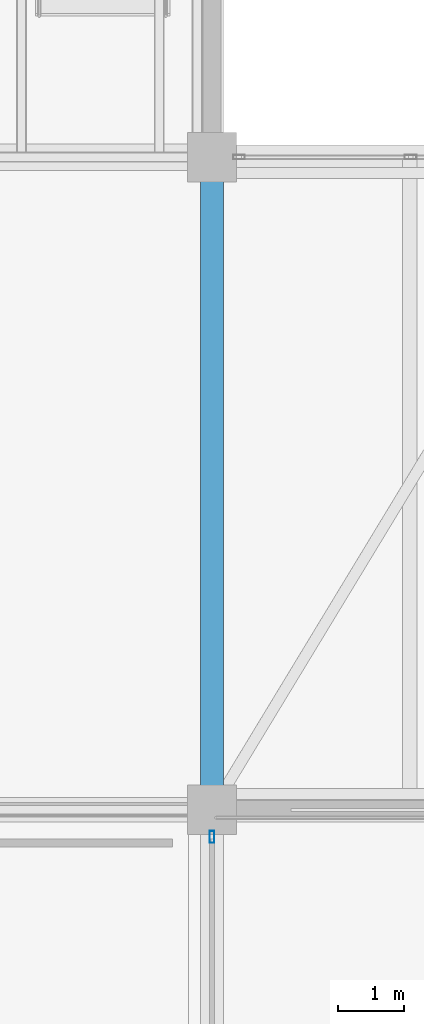
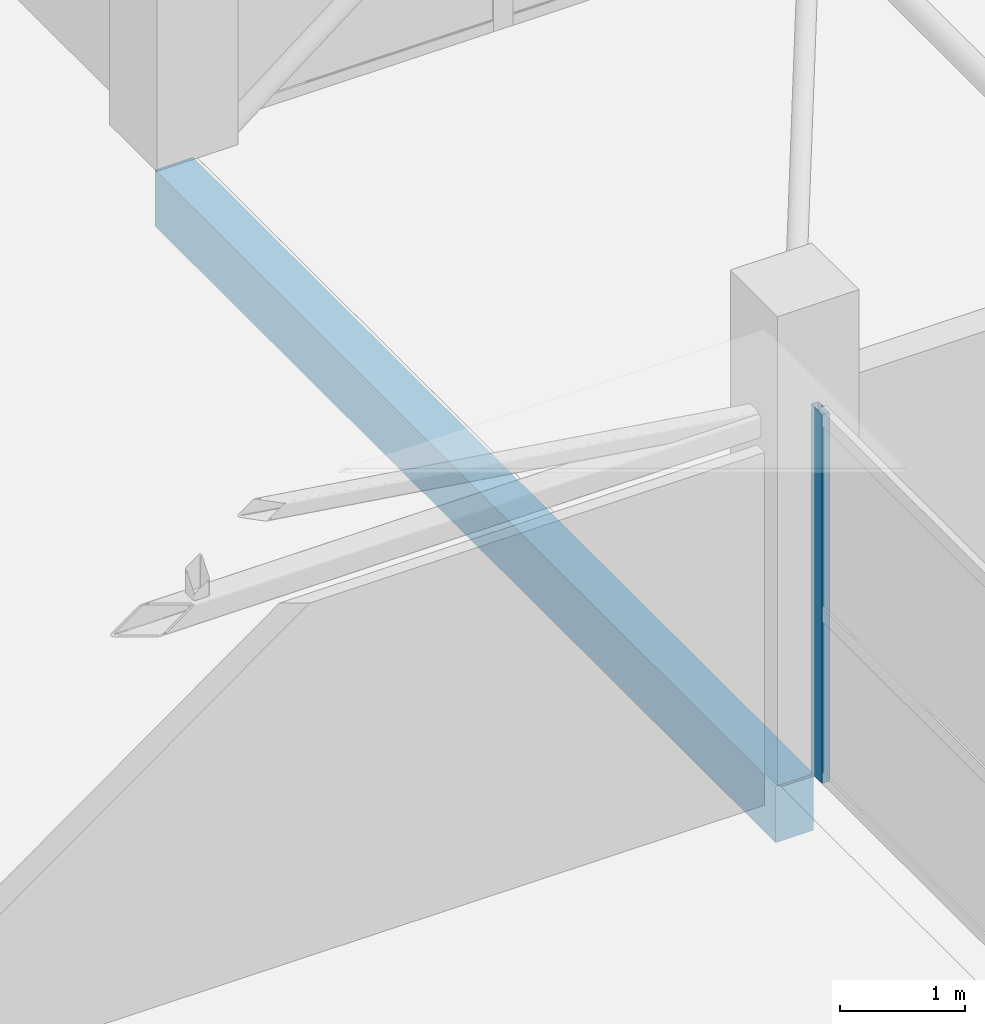
# One storey, part 29 of 69: 1 beam, 1 member, 1 element without a shape of its own.
"""IFC4 building model written with IfcOpenShell, lengths in metres."""

from ifc_helpers import new_model, si_unit, direction, frame, origin, origin_2d, place, context, subcontext, project, spatial, rectangle, hollow_rectangle, extrude, material, layer, layer_set, material_profile, profile_set, type_object, element, aggregate, save


model = new_model("IFC4")

# Units and contexts
model_context = context("Model", 3, precision=1e-05, world=origin(), true_north=direction((0.0, 1.0)))
body_context = subcontext(model_context, "Body", "Model", "MODEL_VIEW")
ifc_project = project(units=[si_unit("LENGTHUNIT", "METRE"), si_unit("AREAUNIT", "SQUARE_METRE"), si_unit("VOLUMEUNIT", "CUBIC_METRE"), si_unit("PLANEANGLEUNIT", "RADIAN"), si_unit("MASSUNIT", "GRAM", prefix="KILO")], contexts=[model_context])

# Site, building, storey
site_placement = place(None, origin())
site = spatial("IfcSite", under=ifc_project, at=site_placement, CompositionType="ELEMENT")
building_placement = place(site_placement, origin())
building = spatial("IfcBuilding", under=site, at=building_placement, Name="Sillaruma Civic Art Gallery", CompositionType="ELEMENT")
storey_placement = place(building_placement, frame((0.0, 0.0, 42.330078125)))
storey = spatial("IfcBuildingStorey", under=building, at=storey_placement, Name="L08", CompositionType="ELEMENT", Elevation=42.330078125)

# Beam
ifc_material_1 = material(Name="Concrete H35 (35 MPa)", Category="concrete")
ifc_material_profile_1 = material_profile(ifc_material_1, rectangle(XDim=0.35009765625, YDim=0.550048828125, at=origin_2d()), Name="RCB350x550")
ifc_profile_set_1 = profile_set([ifc_material_profile_1], Name="Concrete H35 (35 MPa)")
beam_type = type_object("IfcBeamType", Name="BM-SPANDREL-RCB350x550", PredefinedType="SPANDREL", material=ifc_profile_set_1)
beam_placement = place(storey_placement, frame((92.0, 69.300048828125, -0.55517578125), z_axis=(0.0, 1.0, 0.0), x_axis=(-1.0, 0.0, 0.0)))
element("IfcBeam", 1, at=beam_placement, inside=storey, type_object=beam_type, Name="Beam BS-04 (L07:K:8-9)", PredefinedType="SPANDREL", context=body_context, shape_type="SweptSolid", body=[
    extrude(rectangle(XDim=0.35009765625, YDim=0.550048828125, at=origin_2d()), origin(), (0.0, 0.0, 1.0), 9.89990234375),
])

# Curtain wall, member
ifc_material_2 = material(Name="Thermally Broken Extruded Aluminium 6063-T6", Category="aluminium")
ifc_layer = layer(ifc_material_2, 0.179931640625, Name="Thermally Broken Extruded Aluminium 6063-T6")
ifc_layer_set = layer_set([ifc_layer], Name="Thermally Broken Extruded Aluminium 6063-T6")
curtain_wall_type = type_object("IfcCurtainWallType", Name="CW-UNI-33", PredefinedType="NOTDEFINED", material=ifc_layer_set)
curtain_wall_placement = place(storey_placement, origin())
curtain_wall = element("IfcCurtainWall", 2, at=curtain_wall_placement, inside=storey, type_object=curtain_wall_type, Name="Unitised Curtain Wall CW-33 (CW-L08-WBE-5)", PredefinedType="NOTDEFINED")
ifc_material_profile_2 = material_profile(ifc_material_2, hollow_rectangle(XDim=0.070068359375, YDim=0.179931640625, WallThickness=0.00390625, at=origin_2d()), Name="CWM70x180")
ifc_profile_set_2 = profile_set([ifc_material_profile_2], Name="Thermally Broken Extruded Aluminium 6063-T6")
member_type = type_object("IfcMemberType", Name="MEM-MUL-CWM70x180", PredefinedType="MULLION", material=ifc_profile_set_2)
member_placement = place(storey_placement, frame((92.0, 68.889892578125, 0.0), z_axis=(0.0, 0.0, 1.0), x_axis=(-1.0, 0.0, 0.0)))
member = element("IfcMember", 3, at=member_placement, type_object=member_type, Name="CW-33 mullion 3", PredefinedType="MULLION", context=body_context, shape_type="SweptSolid", body=[
    extrude(hollow_rectangle(XDim=0.070068359375, YDim=0.179931640625, WallThickness=0.00390625, at=origin_2d()), origin(), (0.0, 0.0, 1.0), 3.58984375),
])
aggregate(curtain_wall, [member])

save(model, "model.ifc")
